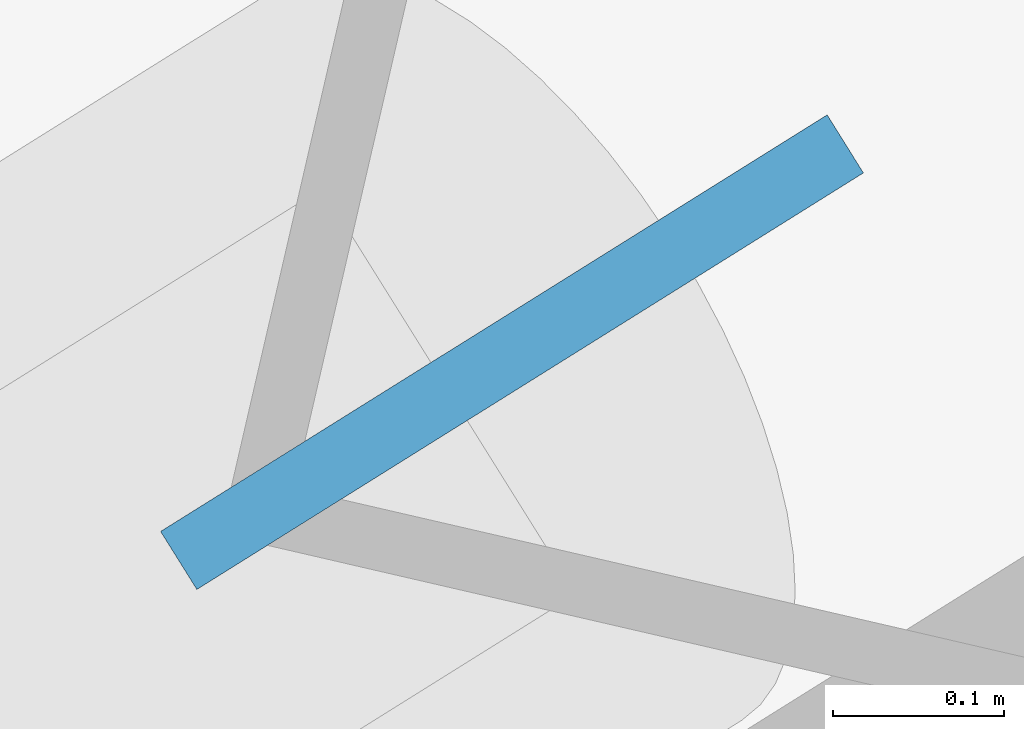
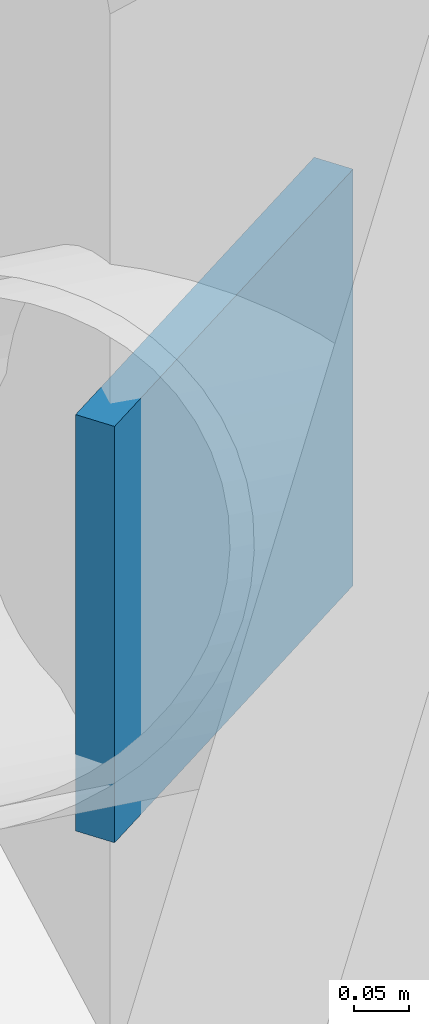
# One storey, part 16 of 20: 1 discrete accessory.
"""IFC4 building model written with IfcOpenShell, lengths in metres."""

from ifc_helpers import new_model, si_unit, direction, frame, origin, origin_2d, place, context, subcontext, project, spatial, rectangle, extrude, material, type_object, element, save


model = new_model("IFC4")

# Units and contexts
model_context = context("Model", 3, precision=1e-05, world=origin(), true_north=direction((0.0, 1.0)))
body_context = subcontext(model_context, "Body", "Model", "MODEL_VIEW")
ifc_project = project(units=[si_unit("LENGTHUNIT", "METRE"), si_unit("AREAUNIT", "SQUARE_METRE"), si_unit("VOLUMEUNIT", "CUBIC_METRE"), si_unit("PLANEANGLEUNIT", "RADIAN"), si_unit("MASSUNIT", "GRAM", prefix="KILO")], contexts=[model_context])

# Site, building, storey
site_placement = place(None, origin())
site = spatial("IfcSite", under=ifc_project, at=site_placement, CompositionType="ELEMENT")
building_placement = place(site_placement, origin())
building = spatial("IfcBuilding", under=site, at=building_placement, Name="Tavrogorsk Clinical Tower", CompositionType="ELEMENT")
storey_placement = place(building_placement, frame((0.0, 0.0, 18.39990234375)))
storey = spatial("IfcBuildingStorey", under=building, at=storey_placement, Name="L03", CompositionType="ELEMENT", Elevation=18.39990234375)

# Discrete accessory
ifc_material = material(Name="Structural steel S440", Category="steel")
discrete_accessory_type = type_object("IfcDiscreteAccessoryType", Name="GussetPlateBracket_25", PredefinedType="BRACKET", material=ifc_material)
discrete_accessory_placement = place(storey_placement, frame((-30.348876953125, 29.96337890625, 0.25341796875), z_axis=(0.0, 0.0, 1.0), x_axis=(-0.848048096156, -0.529919264233, 0.0)))
element("IfcDiscreteAccessory", 1, at=discrete_accessory_placement, inside=storey, type_object=discrete_accessory_type, Name="L03 Brace Gusset Plate EXOCRN-L03-3-A", PredefinedType="BRACKET", context=body_context, shape_type="SweptSolid", body=[
    extrude(rectangle(XDim=0.4599609375, YDim=0.0400390625, at=origin_2d()), origin(), (0.0, 0.0, 1.0), 0.4599609375),
])

save(model, "model.ifc")
